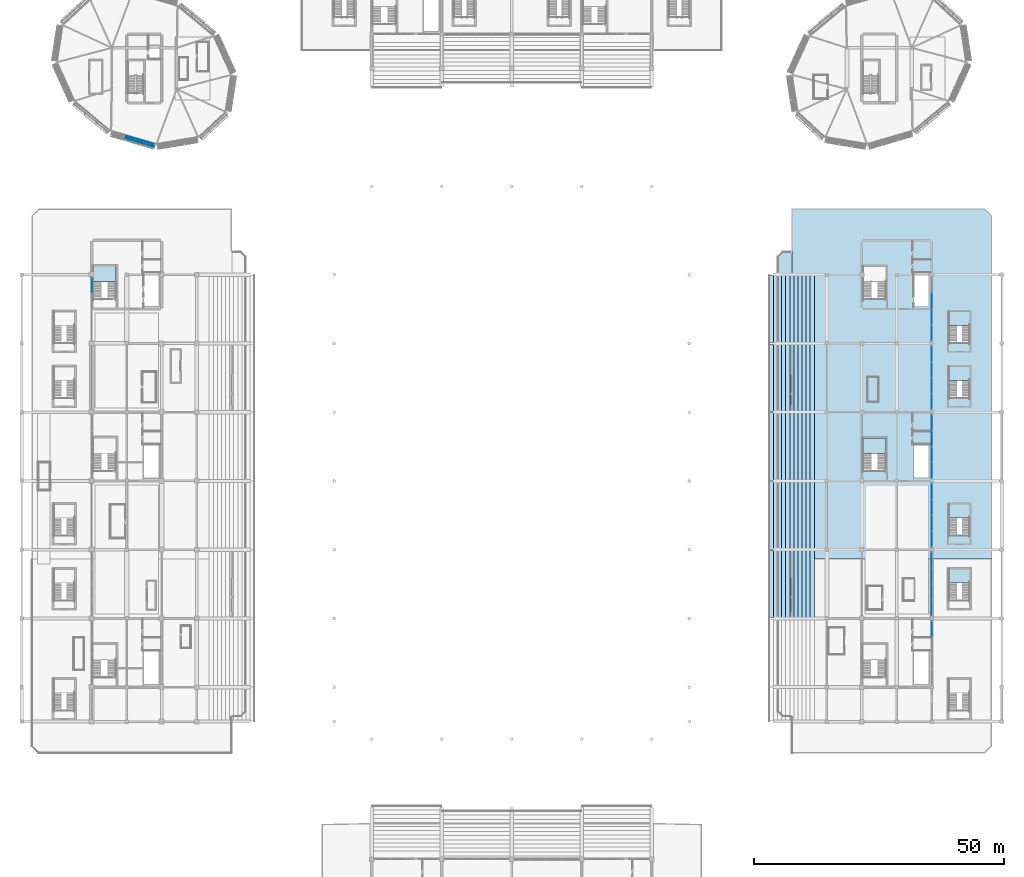
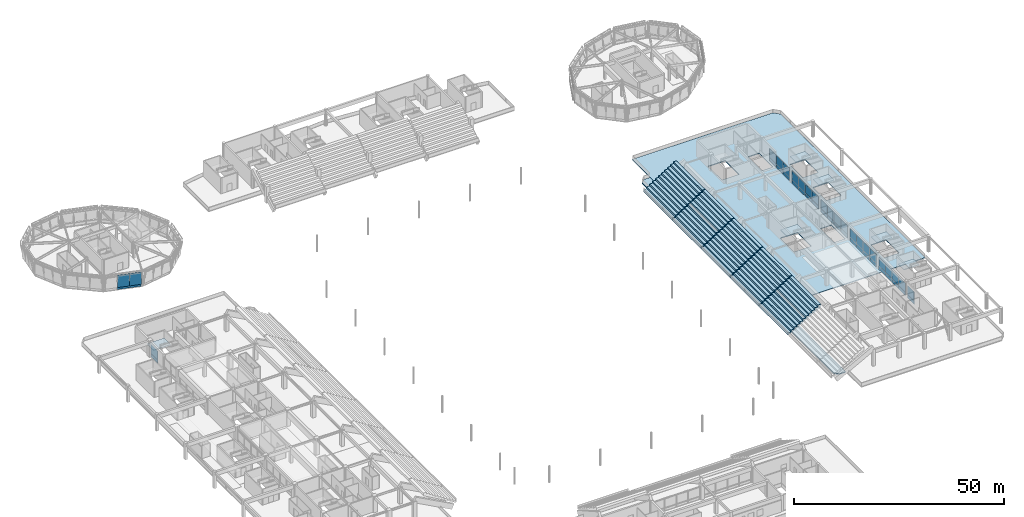
# One storey, part 61 of 94: 46 plates, 13 slabs, 14 elements without a shape of their own.
"""IFC4 building model written with IfcOpenShell, lengths in metres."""

from ifc_helpers import new_model, si_unit, direction, frame, origin, origin_2d, place, context, subcontext, project, spatial, polyline, rectangle, outline, extrude, material, layer, layer_set, type_object, element, aggregate, save


model = new_model("IFC4")

# Units and contexts
model_context = context("Model", 3, precision=1e-05, world=origin(), true_north=direction((0.0, 1.0)))
body_context = subcontext(model_context, "Body", "Model", "MODEL_VIEW")
ifc_project = project(units=[si_unit("LENGTHUNIT", "METRE"), si_unit("AREAUNIT", "SQUARE_METRE"), si_unit("VOLUMEUNIT", "CUBIC_METRE"), si_unit("PLANEANGLEUNIT", "RADIAN"), si_unit("MASSUNIT", "GRAM", prefix="KILO")], contexts=[model_context])

# Site, building, storey
site_placement = place(None, origin())
site = spatial("IfcSite", under=ifc_project, at=site_placement, CompositionType="ELEMENT")
building_placement = place(site_placement, origin())
building = spatial("IfcBuilding", under=site, at=building_placement, Name="Linyun Crest Stadium", CompositionType="ELEMENT")
storey_placement = place(building_placement, frame((0.0, 0.0, 16.199951171875)))
storey = spatial("IfcBuildingStorey", under=building, at=storey_placement, Name="L04", CompositionType="ELEMENT", Elevation=16.199951171875)

# Slab
ifc_material_1 = material(Name="Concrete C40", Category="concrete")
ifc_layer_1 = layer(ifc_material_1, 0.219970703125)
ifc_layer_set_1 = layer_set([ifc_layer_1], Name="Concrete C40")
slab_type_1 = type_object("IfcSlabType", Name="FS03", PredefinedType="FLOOR", material=ifc_layer_set_1)
slab_1_placement = place(storey_placement, frame((0.0, 0.0, -0.219970703125)))
element("IfcSlab", 1, at=slab_1_placement, inside=storey, type_object=slab_type_1, Name="Slab FS03 V2 L04 25", PredefinedType="FLOOR", context=body_context, shape_type="SweptSolid", body=[
    extrude(outline(polyline([(56.0, -13.489990234375), (96.0, -13.489990234375), (96.0, 55.18505859375), (94.60009765625, 56.5849609375), (56.0, 56.5849609375), (56.0, -13.489990234375)]), holes=[polyline([(70.199951171875, 4.14501953125), (70.199951171875, 10.72509765625), (74.89990234375, 10.72509765625), (74.89990234375, 4.14501953125), (70.199951171875, 4.14501953125)]), polyline([(80.39990234375, 2.77490234375), (80.39990234375, 9.375), (83.39990234375, 9.375), (83.39990234375, 2.77490234375), (80.39990234375, 2.77490234375)]), polyline([(70.22509765625, 38.52001953125), (70.22509765625, 45.10009765625), (74.89990234375, 45.10009765625), (74.89990234375, 38.52001953125), (70.22509765625, 38.52001953125)]), polyline([(80.39990234375, 37.14990234375), (80.39990234375, 43.75), (83.39990234375, 43.75), (83.39990234375, 37.14990234375), (80.39990234375, 37.14990234375)]), polyline([(87.39990234375, -8.75), (87.39990234375, -2.5), (91.60009765625, -2.5), (91.60009765625, -8.75), (87.39990234375, -8.75)]), polyline([(87.39990234375, 18.75), (87.39990234375, 25.0), (91.60009765625, 25.0), (91.60009765625, 18.75), (87.39990234375, 18.75)]), polyline([(87.39990234375, 29.75), (87.39990234375, 36.0), (91.60009765625, 36.0), (91.60009765625, 29.75), (87.39990234375, 29.75)])]), origin(), (0.0, 0.0, 1.0), 0.219970703125),
])

# Curtain wall, plates
ifc_material_2 = material(Name="Verdigris steel and low-E curtain wall assembly", Category="steel")
curtain_wall_type_1 = type_object("IfcCurtainWallType", Name="MCW04", PredefinedType="NOTDEFINED", material=ifc_material_2)
curtain_wall_1_placement = place(storey_placement, origin())
curtain_wall_1 = element("IfcCurtainWall", 2, at=curtain_wall_1_placement, inside=storey, type_object=curtain_wall_type_1, Name="CWR-010", PredefinedType="NOTDEFINED")
ifc_material_3 = material(Name="Acoustic laminated low-E broadcast glass", Category="glass")
ifc_layer_2 = layer(ifc_material_3, 0.030029296875)
ifc_layer_set_2 = layer_set([ifc_layer_2], Name="Acoustic laminated low-E broadcast glass")
plate_type_1 = type_object("IfcPlateType", Name="GP02", PredefinedType="CURTAIN_PANEL", material=ifc_layer_set_2)
plate_1_placement = place(storey_placement, frame((-75.7900390625, 70.23193359375, 0.888427734375), z_axis=(0.0, 0.0, 1.0), x_axis=(0.959437077917, -0.281922850294, 0.0)))
plate_1 = element("IfcPlate", 3, at=plate_1_placement, type_object=plate_type_1, Name="CWR-010 panel 2.2", PredefinedType="CURTAIN_PANEL", context=body_context, shape_type="SweptSolid", body=[
    extrude(rectangle(XDim=2.897705078125, YDim=0.030029296875, at=origin_2d()), origin(), (0.0, 0.0, 1.0), 3.5830078125),
])
plate_2_placement = place(storey_placement, frame((-72.9619140625, 69.40087890625, 0.888427734375), z_axis=(0.0, 0.0, 1.0), x_axis=(0.959437077917, -0.281922850294, 0.0)))
plate_2 = element("IfcPlate", 4, at=plate_2_placement, type_object=plate_type_1, Name="CWR-010 panel 3.2", PredefinedType="CURTAIN_PANEL", context=body_context, shape_type="SweptSolid", body=[
    extrude(rectangle(XDim=2.897705078125, YDim=0.030029296875, at=origin_2d()), origin(), (0.0, 0.0, 1.0), 3.5830078125),
])

# Curtain wall, plate
ifc_material_4 = material(Name="Verdigris steel and low-E curtain wall assembly", Category="steel")
curtain_wall_type_2 = type_object("IfcCurtainWallType", Name="MCW06", PredefinedType="NOTDEFINED", material=ifc_material_4)
curtain_wall_2_placement = place(storey_placement, origin())
curtain_wall_2 = element("IfcCurtainWall", 5, at=curtain_wall_2_placement, inside=storey, type_object=curtain_wall_type_2, Name="CWR-080", PredefinedType="NOTDEFINED")
plate_3_placement = place(storey_placement, frame((84.0, -27.506103515625, 1.02490234375), z_axis=(0.0, 0.0, 1.0), x_axis=(0.0, 1.0, 0.0)))
plate_3 = element("IfcPlate", 6, at=plate_3_placement, type_object=plate_type_1, Name="CWR-080 panel 4.2", PredefinedType="CURTAIN_PANEL", context=body_context, shape_type="SweptSolid", body=[
    extrude(rectangle(XDim=3.112548828125, YDim=0.030029296875, at=origin_2d()), origin(), (0.0, 0.0, 1.0), 2.60009765625),
])

# Curtain wall, plates
curtain_wall_3_placement = place(storey_placement, origin())
curtain_wall_3 = element("IfcCurtainWall", 7, at=curtain_wall_3_placement, inside=storey, type_object=curtain_wall_type_2, Name="CWR-089", PredefinedType="NOTDEFINED")
plate_4_placement = place(storey_placement, frame((84.0, -23.243896484375, 1.02490234375), z_axis=(0.0, 0.0, 1.0), x_axis=(0.0, 1.0, 0.0)))
plate_4 = element("IfcPlate", 8, at=plate_4_placement, type_object=plate_type_1, Name="CWR-089 panel 1.2", PredefinedType="CURTAIN_PANEL", context=body_context, shape_type="SweptSolid", body=[
    extrude(rectangle(XDim=3.112548828125, YDim=0.030029296875, at=origin_2d()), origin(), (0.0, 0.0, 1.0), 2.60009765625),
])
plate_5_placement = place(storey_placement, frame((84.0, -20.0810546875, 1.02490234375), z_axis=(0.0, 0.0, 1.0), x_axis=(0.0, 1.0, 0.0)))
plate_5 = element("IfcPlate", 9, at=plate_5_placement, type_object=plate_type_1, Name="CWR-089 panel 2.2", PredefinedType="CURTAIN_PANEL", context=body_context, shape_type="SweptSolid", body=[
    extrude(rectangle(XDim=3.112548828125, YDim=0.030029296875, at=origin_2d()), origin(), (0.0, 0.0, 1.0), 2.60009765625),
])
plate_6_placement = place(storey_placement, frame((84.0, -16.9189453125, 1.02490234375), z_axis=(0.0, 0.0, 1.0), x_axis=(0.0, 1.0, 0.0)))
plate_6 = element("IfcPlate", 10, at=plate_6_placement, type_object=plate_type_1, Name="CWR-089 panel 3.2", PredefinedType="CURTAIN_PANEL", context=body_context, shape_type="SweptSolid", body=[
    extrude(rectangle(XDim=3.112548828125, YDim=0.030029296875, at=origin_2d()), origin(), (0.0, 0.0, 1.0), 2.60009765625),
])
plate_7_placement = place(storey_placement, frame((84.0, -13.756103515625, 1.02490234375), z_axis=(0.0, 0.0, 1.0), x_axis=(0.0, 1.0, 0.0)))
plate_7 = element("IfcPlate", 11, at=plate_7_placement, type_object=plate_type_1, Name="CWR-089 panel 4.2", PredefinedType="CURTAIN_PANEL", context=body_context, shape_type="SweptSolid", body=[
    extrude(rectangle(XDim=3.112548828125, YDim=0.030029296875, at=origin_2d()), origin(), (0.0, 0.0, 1.0), 2.60009765625),
])

curtain_wall_4_placement = place(storey_placement, origin())
curtain_wall_4 = element("IfcCurtainWall", 12, at=curtain_wall_4_placement, inside=storey, type_object=curtain_wall_type_2, Name="CWR-098", PredefinedType="NOTDEFINED")
plate_8_placement = place(storey_placement, frame((84.0, -9.493896484375, 1.02490234375), z_axis=(0.0, 0.0, 1.0), x_axis=(0.0, 1.0, 0.0)))
plate_8 = element("IfcPlate", 13, at=plate_8_placement, type_object=plate_type_1, Name="CWR-098 panel 1.2", PredefinedType="CURTAIN_PANEL", context=body_context, shape_type="SweptSolid", body=[
    extrude(rectangle(XDim=3.112548828125, YDim=0.030029296875, at=origin_2d()), origin(), (0.0, 0.0, 1.0), 2.60009765625),
])
plate_9_placement = place(storey_placement, frame((84.0, -6.3310546875, 1.02490234375), z_axis=(0.0, 0.0, 1.0), x_axis=(0.0, 1.0, 0.0)))
plate_9 = element("IfcPlate", 14, at=plate_9_placement, type_object=plate_type_1, Name="CWR-098 panel 2.2", PredefinedType="CURTAIN_PANEL", context=body_context, shape_type="SweptSolid", body=[
    extrude(rectangle(XDim=3.112548828125, YDim=0.030029296875, at=origin_2d()), origin(), (0.0, 0.0, 1.0), 2.60009765625),
])
plate_10_placement = place(storey_placement, frame((84.0, -3.1689453125, 1.02490234375), z_axis=(0.0, 0.0, 1.0), x_axis=(0.0, 1.0, 0.0)))
plate_10 = element("IfcPlate", 15, at=plate_10_placement, type_object=plate_type_1, Name="CWR-098 panel 3.2", PredefinedType="CURTAIN_PANEL", context=body_context, shape_type="SweptSolid", body=[
    extrude(rectangle(XDim=3.112548828125, YDim=0.030029296875, at=origin_2d()), origin(), (0.0, 0.0, 1.0), 2.60009765625),
])
plate_11_placement = place(storey_placement, frame((84.0, -0.006103515625, 1.02490234375), z_axis=(0.0, 0.0, 1.0), x_axis=(0.0, 1.0, 0.0)))
plate_11 = element("IfcPlate", 16, at=plate_11_placement, type_object=plate_type_1, Name="CWR-098 panel 4.2", PredefinedType="CURTAIN_PANEL", context=body_context, shape_type="SweptSolid", body=[
    extrude(rectangle(XDim=3.112548828125, YDim=0.030029296875, at=origin_2d()), origin(), (0.0, 0.0, 1.0), 2.60009765625),
])

curtain_wall_5_placement = place(storey_placement, origin())
curtain_wall_5 = element("IfcCurtainWall", 17, at=curtain_wall_5_placement, inside=storey, type_object=curtain_wall_type_2, Name="CWR-107", PredefinedType="NOTDEFINED")
plate_12_placement = place(storey_placement, frame((84.0, 4.256103515625, 1.02490234375), z_axis=(0.0, 0.0, 1.0), x_axis=(0.0, 1.0, 0.0)))
plate_12 = element("IfcPlate", 18, at=plate_12_placement, type_object=plate_type_1, Name="CWR-107 panel 1.2", PredefinedType="CURTAIN_PANEL", context=body_context, shape_type="SweptSolid", body=[
    extrude(rectangle(XDim=3.112548828125, YDim=0.030029296875, at=origin_2d()), origin(), (0.0, 0.0, 1.0), 2.60009765625),
])
plate_13_placement = place(storey_placement, frame((84.0, 7.4189453125, 1.02490234375), z_axis=(0.0, 0.0, 1.0), x_axis=(0.0, 1.0, 0.0)))
plate_13 = element("IfcPlate", 19, at=plate_13_placement, type_object=plate_type_1, Name="CWR-107 panel 2.2", PredefinedType="CURTAIN_PANEL", context=body_context, shape_type="SweptSolid", body=[
    extrude(rectangle(XDim=3.112548828125, YDim=0.030029296875, at=origin_2d()), origin(), (0.0, 0.0, 1.0), 2.60009765625),
])
plate_14_placement = place(storey_placement, frame((84.0, 10.5810546875, 1.02490234375), z_axis=(0.0, 0.0, 1.0), x_axis=(0.0, 1.0, 0.0)))
plate_14 = element("IfcPlate", 20, at=plate_14_placement, type_object=plate_type_1, Name="CWR-107 panel 3.2", PredefinedType="CURTAIN_PANEL", context=body_context, shape_type="SweptSolid", body=[
    extrude(rectangle(XDim=3.112548828125, YDim=0.030029296875, at=origin_2d()), origin(), (0.0, 0.0, 1.0), 2.60009765625),
])
plate_15_placement = place(storey_placement, frame((84.0, 13.743896484375, 1.02490234375), z_axis=(0.0, 0.0, 1.0), x_axis=(0.0, 1.0, 0.0)))
plate_15 = element("IfcPlate", 21, at=plate_15_placement, type_object=plate_type_1, Name="CWR-107 panel 4.2", PredefinedType="CURTAIN_PANEL", context=body_context, shape_type="SweptSolid", body=[
    extrude(rectangle(XDim=3.112548828125, YDim=0.030029296875, at=origin_2d()), origin(), (0.0, 0.0, 1.0), 2.60009765625),
])

curtain_wall_6_placement = place(storey_placement, origin())
curtain_wall_6 = element("IfcCurtainWall", 22, at=curtain_wall_6_placement, inside=storey, type_object=curtain_wall_type_2, Name="CWR-116", PredefinedType="NOTDEFINED")
plate_16_placement = place(storey_placement, frame((84.0, 18.006103515625, 1.02490234375), z_axis=(0.0, 0.0, 1.0), x_axis=(0.0, 1.0, 0.0)))
plate_16 = element("IfcPlate", 23, at=plate_16_placement, type_object=plate_type_1, Name="CWR-116 panel 1.2", PredefinedType="CURTAIN_PANEL", context=body_context, shape_type="SweptSolid", body=[
    extrude(rectangle(XDim=3.112548828125, YDim=0.030029296875, at=origin_2d()), origin(), (0.0, 0.0, 1.0), 2.60009765625),
])
plate_17_placement = place(storey_placement, frame((84.0, 21.1689453125, 1.02490234375), z_axis=(0.0, 0.0, 1.0), x_axis=(0.0, 1.0, 0.0)))
plate_17 = element("IfcPlate", 24, at=plate_17_placement, type_object=plate_type_1, Name="CWR-116 panel 2.2", PredefinedType="CURTAIN_PANEL", context=body_context, shape_type="SweptSolid", body=[
    extrude(rectangle(XDim=3.112548828125, YDim=0.030029296875, at=origin_2d()), origin(), (0.0, 0.0, 1.0), 2.60009765625),
])
plate_18_placement = place(storey_placement, frame((84.0, 24.3310546875, 1.02490234375), z_axis=(0.0, 0.0, 1.0), x_axis=(0.0, 1.0, 0.0)))
plate_18 = element("IfcPlate", 25, at=plate_18_placement, type_object=plate_type_1, Name="CWR-116 panel 3.2", PredefinedType="CURTAIN_PANEL", context=body_context, shape_type="SweptSolid", body=[
    extrude(rectangle(XDim=3.112548828125, YDim=0.030029296875, at=origin_2d()), origin(), (0.0, 0.0, 1.0), 2.60009765625),
])
plate_19_placement = place(storey_placement, frame((84.0, 27.493896484375, 1.02490234375), z_axis=(0.0, 0.0, 1.0), x_axis=(0.0, 1.0, 0.0)))
plate_19 = element("IfcPlate", 26, at=plate_19_placement, type_object=plate_type_1, Name="CWR-116 panel 4.2", PredefinedType="CURTAIN_PANEL", context=body_context, shape_type="SweptSolid", body=[
    extrude(rectangle(XDim=3.112548828125, YDim=0.030029296875, at=origin_2d()), origin(), (0.0, 0.0, 1.0), 2.60009765625),
])

# Curtain wall, plate
curtain_wall_7_placement = place(storey_placement, origin())
curtain_wall_7 = element("IfcCurtainWall", 27, at=curtain_wall_7_placement, inside=storey, type_object=curtain_wall_type_2, Name="CWR-120", PredefinedType="NOTDEFINED")
plate_20_placement = place(storey_placement, frame((-84.0, 41.243896484375, 1.02490234375), z_axis=(0.0, 0.0, 1.0), x_axis=(0.0, 1.0, 0.0)))
plate_20 = element("IfcPlate", 28, at=plate_20_placement, type_object=plate_type_1, Name="CWR-120 panel 4.2", PredefinedType="CURTAIN_PANEL", context=body_context, shape_type="SweptSolid", body=[
    extrude(rectangle(XDim=3.112548828125, YDim=0.030029296875, at=origin_2d()), origin(), (0.0, 0.0, 1.0), 2.60009765625),
])

# Curtain wall, plates
curtain_wall_8_placement = place(storey_placement, origin())
curtain_wall_8 = element("IfcCurtainWall", 29, at=curtain_wall_8_placement, inside=storey, type_object=curtain_wall_type_2, Name="CWR-125", PredefinedType="NOTDEFINED")
plate_21_placement = place(storey_placement, frame((84.0, 31.756103515625, 1.02490234375), z_axis=(0.0, 0.0, 1.0), x_axis=(0.0, 1.0, 0.0)))
plate_21 = element("IfcPlate", 30, at=plate_21_placement, type_object=plate_type_1, Name="CWR-125 panel 1.2", PredefinedType="CURTAIN_PANEL", context=body_context, shape_type="SweptSolid", body=[
    extrude(rectangle(XDim=3.112548828125, YDim=0.030029296875, at=origin_2d()), origin(), (0.0, 0.0, 1.0), 2.60009765625),
])
plate_22_placement = place(storey_placement, frame((84.0, 34.9189453125, 1.02490234375), z_axis=(0.0, 0.0, 1.0), x_axis=(0.0, 1.0, 0.0)))
plate_22 = element("IfcPlate", 31, at=plate_22_placement, type_object=plate_type_1, Name="CWR-125 panel 2.2", PredefinedType="CURTAIN_PANEL", context=body_context, shape_type="SweptSolid", body=[
    extrude(rectangle(XDim=3.112548828125, YDim=0.030029296875, at=origin_2d()), origin(), (0.0, 0.0, 1.0), 2.60009765625),
])
plate_23_placement = place(storey_placement, frame((84.0, 38.0810546875, 1.02490234375), z_axis=(0.0, 0.0, 1.0), x_axis=(0.0, 1.0, 0.0)))
plate_23 = element("IfcPlate", 32, at=plate_23_placement, type_object=plate_type_1, Name="CWR-125 panel 3.2", PredefinedType="CURTAIN_PANEL", context=body_context, shape_type="SweptSolid", body=[
    extrude(rectangle(XDim=3.112548828125, YDim=0.030029296875, at=origin_2d()), origin(), (0.0, 0.0, 1.0), 2.60009765625),
])

# Stair, slab
ifc_material_5 = material(Name="Concrete C40", Category="concrete")
stair_type = type_object("IfcStairType", Name="STA03", PredefinedType="HALF_TURN_STAIR", material=ifc_material_5)
stair_1_placement = place(storey_placement, origin())
stair_1 = element("IfcStair", 33, at=stair_1_placement, inside=storey, type_object=stair_type, Name="Evacuation stair STR-03-L04", PredefinedType="HALF_TURN_STAIR")
ifc_material_6 = material(Name="Concrete C40", Category="concrete")
ifc_layer_3 = layer(ifc_material_6, 0.179931640625)
ifc_layer_set_3 = layer_set([ifc_layer_3], Name="Concrete C40")
slab_type_2 = type_object("IfcSlabType", Name="LS01", PredefinedType="LANDING", material=ifc_layer_set_3)
slab_2_placement = place(storey_placement, frame((0.0, 0.0, 2.219970703125)))
slab_2 = element("IfcSlab", 34, at=slab_2_placement, type_object=slab_type_2, Name="STR-03-L04 half-landing", PredefinedType="LANDING", context=body_context, shape_type="SweptSolid", body=[
    extrude(outline(polyline([(-83.77490234375, 41.989990234375), (-79.10009765625, 41.989990234375), (-79.10009765625, 45.10009765625), (-83.77490234375, 45.10009765625), (-83.77490234375, 41.989990234375)])), origin(), (0.0, 0.0, 1.0), 0.18017578125),
])
aggregate(stair_1, [slab_2])

stair_2_placement = place(storey_placement, origin())
stair_2 = element("IfcStair", 35, at=stair_2_placement, inside=storey, type_object=stair_type, Name="Evacuation stair STR-05-L04", PredefinedType="HALF_TURN_STAIR")
slab_3_placement = place(storey_placement, frame((0.0, 0.0, 2.219970703125)))
slab_3 = element("IfcSlab", 36, at=slab_3_placement, type_object=slab_type_2, Name="STR-05-L04 half-landing", PredefinedType="LANDING", context=body_context, shape_type="SweptSolid", body=[
    extrude(outline(polyline([(70.199951171875, 7.614990234375), (74.89990234375, 7.614990234375), (74.89990234375, 10.72509765625), (70.199951171875, 10.72509765625), (70.199951171875, 7.614990234375)])), origin(), (0.0, 0.0, 1.0), 0.18017578125),
])
aggregate(stair_2, [slab_3])

stair_3_placement = place(storey_placement, origin())
stair_3 = element("IfcStair", 37, at=stair_3_placement, inside=storey, type_object=stair_type, Name="Vomitory evacuation stair STR-19-L04", PredefinedType="HALF_TURN_STAIR")
slab_4_placement = place(storey_placement, frame((0.0, 0.0, 2.219970703125)))
slab_4 = element("IfcSlab", 38, at=slab_4_placement, type_object=slab_type_2, Name="STR-19-L04 half-landing", PredefinedType="LANDING", context=body_context, shape_type="SweptSolid", body=[
    extrude(outline(polyline([(87.39990234375, -18.280029296875), (91.60009765625, -18.280029296875), (91.60009765625, -15.5), (87.39990234375, -15.5), (87.39990234375, -18.280029296875)])), origin(), (0.0, 0.0, 1.0), 0.18017578125),
])
aggregate(stair_3, [slab_4])

stair_4_placement = place(storey_placement, origin())
stair_4 = element("IfcStair", 39, at=stair_4_placement, inside=storey, type_object=stair_type, Name="Vomitory evacuation stair STR-20-L04", PredefinedType="HALF_TURN_STAIR")
slab_5_placement = place(storey_placement, frame((0.0, 0.0, 2.219970703125)))
slab_5 = element("IfcSlab", 40, at=slab_5_placement, type_object=slab_type_2, Name="STR-20-L04 half-landing", PredefinedType="LANDING", context=body_context, shape_type="SweptSolid", body=[
    extrude(outline(polyline([(87.39990234375, -5.280029296875), (91.60009765625, -5.280029296875), (91.60009765625, -2.5), (87.39990234375, -2.5), (87.39990234375, -5.280029296875)])), origin(), (0.0, 0.0, 1.0), 0.18017578125),
])
aggregate(stair_4, [slab_5])

stair_5_placement = place(storey_placement, origin())
stair_5 = element("IfcStair", 41, at=stair_5_placement, inside=storey, type_object=stair_type, Name="Vomitory evacuation stair STR-21-L04", PredefinedType="HALF_TURN_STAIR")
slab_6_placement = place(storey_placement, frame((0.0, 0.0, 2.219970703125)))
slab_6 = element("IfcSlab", 42, at=slab_6_placement, type_object=slab_type_2, Name="STR-21-L04 half-landing", PredefinedType="LANDING", context=body_context, shape_type="SweptSolid", body=[
    extrude(outline(polyline([(87.39990234375, 22.219970703125), (91.60009765625, 22.219970703125), (91.60009765625, 25.0), (87.39990234375, 25.0), (87.39990234375, 22.219970703125)])), origin(), (0.0, 0.0, 1.0), 0.18017578125),
])
aggregate(stair_5, [slab_6])

stair_6_placement = place(storey_placement, origin())
stair_6 = element("IfcStair", 43, at=stair_6_placement, inside=storey, type_object=stair_type, Name="Vomitory evacuation stair STR-22-L04", PredefinedType="HALF_TURN_STAIR")
slab_7_placement = place(storey_placement, frame((0.0, 0.0, 2.219970703125)))
slab_7 = element("IfcSlab", 44, at=slab_7_placement, type_object=slab_type_2, Name="STR-22-L04 half-landing", PredefinedType="LANDING", context=body_context, shape_type="SweptSolid", body=[
    extrude(outline(polyline([(87.39990234375, 33.219970703125), (91.60009765625, 33.219970703125), (91.60009765625, 36.0), (87.39990234375, 36.0), (87.39990234375, 33.219970703125)])), origin(), (0.0, 0.0, 1.0), 0.18017578125),
])
aggregate(stair_6, [slab_7])

# Plate
ifc_material_7 = material(Name="Warm ochre glazed ceramic faience spandrel")
ifc_layer_4 = layer(ifc_material_7, 0.048095703125)
ifc_layer_set_4 = layer_set([ifc_layer_4], Name="Warm ochre glazed ceramic faience spandrel")
plate_type_2 = type_object("IfcPlateType", Name="SP02", PredefinedType="SHEET", material=ifc_layer_set_4)
plate_24_placement = place(storey_placement, frame((84.0, -27.506103515625, 0.02490234375), z_axis=(0.0, 0.0, 1.0), x_axis=(0.0, 1.0, 0.0)))
plate_24 = element("IfcPlate", 45, at=plate_24_placement, type_object=plate_type_2, Name="CWR-080 panel 4.1", PredefinedType="SHEET", context=body_context, shape_type="SweptSolid", body=[
    extrude(rectangle(XDim=3.112548828125, YDim=0.048095703125, at=origin_2d()), origin(), (0.0, 0.0, 1.0), 0.949951171875),
])

aggregate(curtain_wall_2, [plate_24, plate_3])

plate_25_placement = place(storey_placement, frame((84.0, -23.243896484375, 0.02490234375), z_axis=(0.0, 0.0, 1.0), x_axis=(0.0, 1.0, 0.0)))
plate_25 = element("IfcPlate", 46, at=plate_25_placement, type_object=plate_type_2, Name="CWR-089 panel 1.1", PredefinedType="SHEET", context=body_context, shape_type="SweptSolid", body=[
    extrude(rectangle(XDim=3.112548828125, YDim=0.048095703125, at=origin_2d()), origin(), (0.0, 0.0, 1.0), 0.949951171875),
])

plate_26_placement = place(storey_placement, frame((84.0, -20.0810546875, 0.02490234375), z_axis=(0.0, 0.0, 1.0), x_axis=(0.0, 1.0, 0.0)))
plate_26 = element("IfcPlate", 47, at=plate_26_placement, type_object=plate_type_2, Name="CWR-089 panel 2.1", PredefinedType="SHEET", context=body_context, shape_type="SweptSolid", body=[
    extrude(rectangle(XDim=3.112548828125, YDim=0.048095703125, at=origin_2d()), origin(), (0.0, 0.0, 1.0), 0.949951171875),
])

plate_27_placement = place(storey_placement, frame((84.0, -16.9189453125, 0.02490234375), z_axis=(0.0, 0.0, 1.0), x_axis=(0.0, 1.0, 0.0)))
plate_27 = element("IfcPlate", 48, at=plate_27_placement, type_object=plate_type_2, Name="CWR-089 panel 3.1", PredefinedType="SHEET", context=body_context, shape_type="SweptSolid", body=[
    extrude(rectangle(XDim=3.112548828125, YDim=0.048095703125, at=origin_2d()), origin(), (0.0, 0.0, 1.0), 0.949951171875),
])

plate_28_placement = place(storey_placement, frame((84.0, -13.756103515625, 0.02490234375), z_axis=(0.0, 0.0, 1.0), x_axis=(0.0, 1.0, 0.0)))
plate_28 = element("IfcPlate", 49, at=plate_28_placement, type_object=plate_type_2, Name="CWR-089 panel 4.1", PredefinedType="SHEET", context=body_context, shape_type="SweptSolid", body=[
    extrude(rectangle(XDim=3.112548828125, YDim=0.048095703125, at=origin_2d()), origin(), (0.0, 0.0, 1.0), 0.949951171875),
])

aggregate(curtain_wall_3, [plate_25, plate_4, plate_26, plate_5, plate_27, plate_6, plate_28, plate_7])

plate_29_placement = place(storey_placement, frame((84.0, -9.493896484375, 0.02490234375), z_axis=(0.0, 0.0, 1.0), x_axis=(0.0, 1.0, 0.0)))
plate_29 = element("IfcPlate", 50, at=plate_29_placement, type_object=plate_type_2, Name="CWR-098 panel 1.1", PredefinedType="SHEET", context=body_context, shape_type="SweptSolid", body=[
    extrude(rectangle(XDim=3.112548828125, YDim=0.048095703125, at=origin_2d()), origin(), (0.0, 0.0, 1.0), 0.949951171875),
])

plate_30_placement = place(storey_placement, frame((84.0, -6.3310546875, 0.02490234375), z_axis=(0.0, 0.0, 1.0), x_axis=(0.0, 1.0, 0.0)))
plate_30 = element("IfcPlate", 51, at=plate_30_placement, type_object=plate_type_2, Name="CWR-098 panel 2.1", PredefinedType="SHEET", context=body_context, shape_type="SweptSolid", body=[
    extrude(rectangle(XDim=3.112548828125, YDim=0.048095703125, at=origin_2d()), origin(), (0.0, 0.0, 1.0), 0.949951171875),
])

plate_31_placement = place(storey_placement, frame((84.0, -3.1689453125, 0.02490234375), z_axis=(0.0, 0.0, 1.0), x_axis=(0.0, 1.0, 0.0)))
plate_31 = element("IfcPlate", 52, at=plate_31_placement, type_object=plate_type_2, Name="CWR-098 panel 3.1", PredefinedType="SHEET", context=body_context, shape_type="SweptSolid", body=[
    extrude(rectangle(XDim=3.112548828125, YDim=0.048095703125, at=origin_2d()), origin(), (0.0, 0.0, 1.0), 0.949951171875),
])

plate_32_placement = place(storey_placement, frame((84.0, -0.006103515625, 0.02490234375), z_axis=(0.0, 0.0, 1.0), x_axis=(0.0, 1.0, 0.0)))
plate_32 = element("IfcPlate", 53, at=plate_32_placement, type_object=plate_type_2, Name="CWR-098 panel 4.1", PredefinedType="SHEET", context=body_context, shape_type="SweptSolid", body=[
    extrude(rectangle(XDim=3.112548828125, YDim=0.048095703125, at=origin_2d()), origin(), (0.0, 0.0, 1.0), 0.949951171875),
])

aggregate(curtain_wall_4, [plate_29, plate_8, plate_30, plate_9, plate_31, plate_10, plate_32, plate_11])

plate_33_placement = place(storey_placement, frame((84.0, 4.256103515625, 0.02490234375), z_axis=(0.0, 0.0, 1.0), x_axis=(0.0, 1.0, 0.0)))
plate_33 = element("IfcPlate", 54, at=plate_33_placement, type_object=plate_type_2, Name="CWR-107 panel 1.1", PredefinedType="SHEET", context=body_context, shape_type="SweptSolid", body=[
    extrude(rectangle(XDim=3.112548828125, YDim=0.048095703125, at=origin_2d()), origin(), (0.0, 0.0, 1.0), 0.949951171875),
])

plate_34_placement = place(storey_placement, frame((84.0, 7.4189453125, 0.02490234375), z_axis=(0.0, 0.0, 1.0), x_axis=(0.0, 1.0, 0.0)))
plate_34 = element("IfcPlate", 55, at=plate_34_placement, type_object=plate_type_2, Name="CWR-107 panel 2.1", PredefinedType="SHEET", context=body_context, shape_type="SweptSolid", body=[
    extrude(rectangle(XDim=3.112548828125, YDim=0.048095703125, at=origin_2d()), origin(), (0.0, 0.0, 1.0), 0.949951171875),
])

plate_35_placement = place(storey_placement, frame((84.0, 10.5810546875, 0.02490234375), z_axis=(0.0, 0.0, 1.0), x_axis=(0.0, 1.0, 0.0)))
plate_35 = element("IfcPlate", 56, at=plate_35_placement, type_object=plate_type_2, Name="CWR-107 panel 3.1", PredefinedType="SHEET", context=body_context, shape_type="SweptSolid", body=[
    extrude(rectangle(XDim=3.112548828125, YDim=0.048095703125, at=origin_2d()), origin(), (0.0, 0.0, 1.0), 0.949951171875),
])

plate_36_placement = place(storey_placement, frame((84.0, 13.743896484375, 0.02490234375), z_axis=(0.0, 0.0, 1.0), x_axis=(0.0, 1.0, 0.0)))
plate_36 = element("IfcPlate", 57, at=plate_36_placement, type_object=plate_type_2, Name="CWR-107 panel 4.1", PredefinedType="SHEET", context=body_context, shape_type="SweptSolid", body=[
    extrude(rectangle(XDim=3.112548828125, YDim=0.048095703125, at=origin_2d()), origin(), (0.0, 0.0, 1.0), 0.949951171875),
])

aggregate(curtain_wall_5, [plate_33, plate_12, plate_34, plate_13, plate_35, plate_14, plate_36, plate_15])

plate_37_placement = place(storey_placement, frame((84.0, 18.006103515625, 0.02490234375), z_axis=(0.0, 0.0, 1.0), x_axis=(0.0, 1.0, 0.0)))
plate_37 = element("IfcPlate", 58, at=plate_37_placement, type_object=plate_type_2, Name="CWR-116 panel 1.1", PredefinedType="SHEET", context=body_context, shape_type="SweptSolid", body=[
    extrude(rectangle(XDim=3.112548828125, YDim=0.048095703125, at=origin_2d()), origin(), (0.0, 0.0, 1.0), 0.949951171875),
])

plate_38_placement = place(storey_placement, frame((84.0, 21.1689453125, 0.02490234375), z_axis=(0.0, 0.0, 1.0), x_axis=(0.0, 1.0, 0.0)))
plate_38 = element("IfcPlate", 59, at=plate_38_placement, type_object=plate_type_2, Name="CWR-116 panel 2.1", PredefinedType="SHEET", context=body_context, shape_type="SweptSolid", body=[
    extrude(rectangle(XDim=3.112548828125, YDim=0.048095703125, at=origin_2d()), origin(), (0.0, 0.0, 1.0), 0.949951171875),
])

plate_39_placement = place(storey_placement, frame((84.0, 24.3310546875, 0.02490234375), z_axis=(0.0, 0.0, 1.0), x_axis=(0.0, 1.0, 0.0)))
plate_39 = element("IfcPlate", 60, at=plate_39_placement, type_object=plate_type_2, Name="CWR-116 panel 3.1", PredefinedType="SHEET", context=body_context, shape_type="SweptSolid", body=[
    extrude(rectangle(XDim=3.112548828125, YDim=0.048095703125, at=origin_2d()), origin(), (0.0, 0.0, 1.0), 0.949951171875),
])

plate_40_placement = place(storey_placement, frame((84.0, 27.493896484375, 0.02490234375), z_axis=(0.0, 0.0, 1.0), x_axis=(0.0, 1.0, 0.0)))
plate_40 = element("IfcPlate", 61, at=plate_40_placement, type_object=plate_type_2, Name="CWR-116 panel 4.1", PredefinedType="SHEET", context=body_context, shape_type="SweptSolid", body=[
    extrude(rectangle(XDim=3.112548828125, YDim=0.048095703125, at=origin_2d()), origin(), (0.0, 0.0, 1.0), 0.949951171875),
])

aggregate(curtain_wall_6, [plate_37, plate_16, plate_38, plate_17, plate_39, plate_18, plate_40, plate_19])

plate_41_placement = place(storey_placement, frame((-84.0, 41.243896484375, 0.02490234375), z_axis=(0.0, 0.0, 1.0), x_axis=(0.0, 1.0, 0.0)))
plate_41 = element("IfcPlate", 62, at=plate_41_placement, type_object=plate_type_2, Name="CWR-120 panel 4.1", PredefinedType="SHEET", context=body_context, shape_type="SweptSolid", body=[
    extrude(rectangle(XDim=3.112548828125, YDim=0.048095703125, at=origin_2d()), origin(), (0.0, 0.0, 1.0), 0.949951171875),
])

aggregate(curtain_wall_7, [plate_41, plate_20])

plate_42_placement = place(storey_placement, frame((84.0, 31.756103515625, 0.02490234375), z_axis=(0.0, 0.0, 1.0), x_axis=(0.0, 1.0, 0.0)))
plate_42 = element("IfcPlate", 63, at=plate_42_placement, type_object=plate_type_2, Name="CWR-125 panel 1.1", PredefinedType="SHEET", context=body_context, shape_type="SweptSolid", body=[
    extrude(rectangle(XDim=3.112548828125, YDim=0.048095703125, at=origin_2d()), origin(), (0.0, 0.0, 1.0), 0.949951171875),
])

plate_43_placement = place(storey_placement, frame((84.0, 34.9189453125, 0.02490234375), z_axis=(0.0, 0.0, 1.0), x_axis=(0.0, 1.0, 0.0)))
plate_43 = element("IfcPlate", 64, at=plate_43_placement, type_object=plate_type_2, Name="CWR-125 panel 2.1", PredefinedType="SHEET", context=body_context, shape_type="SweptSolid", body=[
    extrude(rectangle(XDim=3.112548828125, YDim=0.048095703125, at=origin_2d()), origin(), (0.0, 0.0, 1.0), 0.949951171875),
])

plate_44_placement = place(storey_placement, frame((84.0, 38.0810546875, 0.02490234375), z_axis=(0.0, 0.0, 1.0), x_axis=(0.0, 1.0, 0.0)))
plate_44 = element("IfcPlate", 65, at=plate_44_placement, type_object=plate_type_2, Name="CWR-125 panel 3.1", PredefinedType="SHEET", context=body_context, shape_type="SweptSolid", body=[
    extrude(rectangle(XDim=3.112548828125, YDim=0.048095703125, at=origin_2d()), origin(), (0.0, 0.0, 1.0), 0.949951171875),
])

aggregate(curtain_wall_8, [plate_42, plate_21, plate_43, plate_22, plate_44, plate_23])

ifc_material_8 = material(Name="Verdigris enamelled metal insulated spandrel")
ifc_layer_5 = layer(ifc_material_8, 0.053955078125)
ifc_layer_set_5 = layer_set([ifc_layer_5], Name="Verdigris enamelled metal insulated spandrel")
plate_type_3 = type_object("IfcPlateType", Name="SP03", PredefinedType="SHEET", material=ifc_layer_set_5)
plate_45_placement = place(storey_placement, frame((-75.662109375, 70.66796875, 0.015625), z_axis=(0.0, 0.0, 1.0), x_axis=(0.959437077917, -0.281922850294, 0.0)))
plate_45 = element("IfcPlate", 66, at=plate_45_placement, type_object=plate_type_3, Name="CWR-010 panel 2.1", PredefinedType="SHEET", context=body_context, shape_type="SweptSolid", body=[
    extrude(rectangle(XDim=2.897705078125, YDim=0.053955078125, at=origin_2d()), origin(), (0.0, 0.0, 1.0), 0.868408203125),
])

plate_46_placement = place(storey_placement, frame((-72.833984375, 69.8369140625, 0.015625), z_axis=(0.0, 0.0, 1.0), x_axis=(0.959437077917, -0.281922850294, 0.0)))
plate_46 = element("IfcPlate", 67, at=plate_46_placement, type_object=plate_type_3, Name="CWR-010 panel 3.1", PredefinedType="SHEET", context=body_context, shape_type="SweptSolid", body=[
    extrude(rectangle(XDim=2.897705078125, YDim=0.053955078125, at=origin_2d()), origin(), (0.0, 0.0, 1.0), 0.868408203125),
])

aggregate(curtain_wall_1, [plate_45, plate_1, plate_46, plate_2])

# Slabs
ifc_material_9 = material(Name="Precast concrete C50", Category="concrete")
ifc_layer_6 = layer(ifc_material_9, 0.199951171875)
ifc_layer_set_6 = layer_set([ifc_layer_6], Name="Precast concrete C50")
slab_type_3 = type_object("IfcSlabType", Name="ST04", PredefinedType="USERDEFINED", material=ifc_layer_set_6)
for number, where, z_axis, x_axis, name in (
    (68, (51.5, -25.294921875, 0.35009765625), (0.0, 0.0, 1.0), (1.0, 0.0, 0.0), "Precast seating tier ST04 V2 23"),
    (69, (51.5, -11.544921875, 0.35009765625), (0.0, 0.0, 1.0), (1.0, 0.0, 0.0), "Precast seating tier ST04 V2 31"),
    (70, (51.5, 2.205078125, 0.35009765625), (0.0, 0.0, 1.0), (1.0, 0.0, 0.0), "Precast seating tier ST04 V2 39"),
    (71, (51.5, 15.955078125, 0.35009765625), (0.0, 0.0, 1.0), (1.0, 0.0, 0.0), "Precast seating tier ST04 V2 47"),
    (72, (51.5, 29.705078125, 0.35009765625), (0.0, 0.0, 1.0), (1.0, 0.0, 0.0), "Precast seating tier ST04 V2 55"),
):
    element("IfcSlab", number, at=place(storey_placement, frame(where, z_axis=z_axis, x_axis=x_axis)), inside=storey, type_object=slab_type_3, Name=name, ObjectType="SEATING TIER", PredefinedType="USERDEFINED", context=body_context, shape_type="SweptSolid", body=[
        extrude(outline(polyline([(0.0, 0.0), (0.0, -0.52001953125), (0.820068359375, -0.52001953125), (0.820068359375, -1.0400390625), (1.639892578125, -1.0400390625), (1.639892578125, -1.56005859375), (2.4599609375, -1.56005859375), (2.4599609375, -2.080078125), (3.280029296875, -2.080078125), (3.280029296875, -2.60009765625), (4.10009765625, -2.60009765625), (4.10009765625, -3.1201171875), (4.919921875, -3.1201171875), (4.919921875, -3.639892578125), (5.739990234375, -3.639892578125), (5.739990234375, -4.159912109375), (6.56005859375, -4.159912109375), (6.56005859375, -4.679931640625), (7.3798828125, -4.679931640625), (7.3798828125, -5.199951171875), (8.199951171875, -5.199951171875), (8.199951171875, -5.719970703125), (9.02001953125, -5.719970703125), (9.02001953125, -5.0), (0.0, 0.199951171875), (0.0, 0.0)])), frame((0.0, 0.0, 0.0), z_axis=(0.0, 1.0, 0.0), x_axis=(1.0, 0.0, 0.0)), (0.0, 0.0, 1.0), 13.58984375),
    ])
ifc_material_10 = material(Name="Concrete C40", Category="concrete")
ifc_layer_7 = layer(ifc_material_10, 0.260009765625)
ifc_layer_set_7 = layer_set([ifc_layer_7], Name="Concrete C40")
slab_type_4 = type_object("IfcSlabType", Name="TS02", PredefinedType="FLOOR", material=ifc_layer_set_7)
slab_8_placement = place(storey_placement, frame((0.0, 0.0, -0.260009765625)))
element("IfcSlab", 73, at=slab_8_placement, inside=storey, type_object=slab_type_4, Name="Slab TS02 V2 L04 28", PredefinedType="FLOOR", context=body_context, shape_type="SweptSolid", body=[
    extrude(outline(polyline([(54.199951171875, -45.0), (55.97998046875, -45.0), (55.97998046875, 48.0), (54.199951171875, 48.0), (53.199951171875, 47.0), (53.199951171875, -44.0), (54.199951171875, -45.0)])), origin(), (0.0, 0.0, 1.0), 0.260009765625),
])

save(model, "model.ifc")
